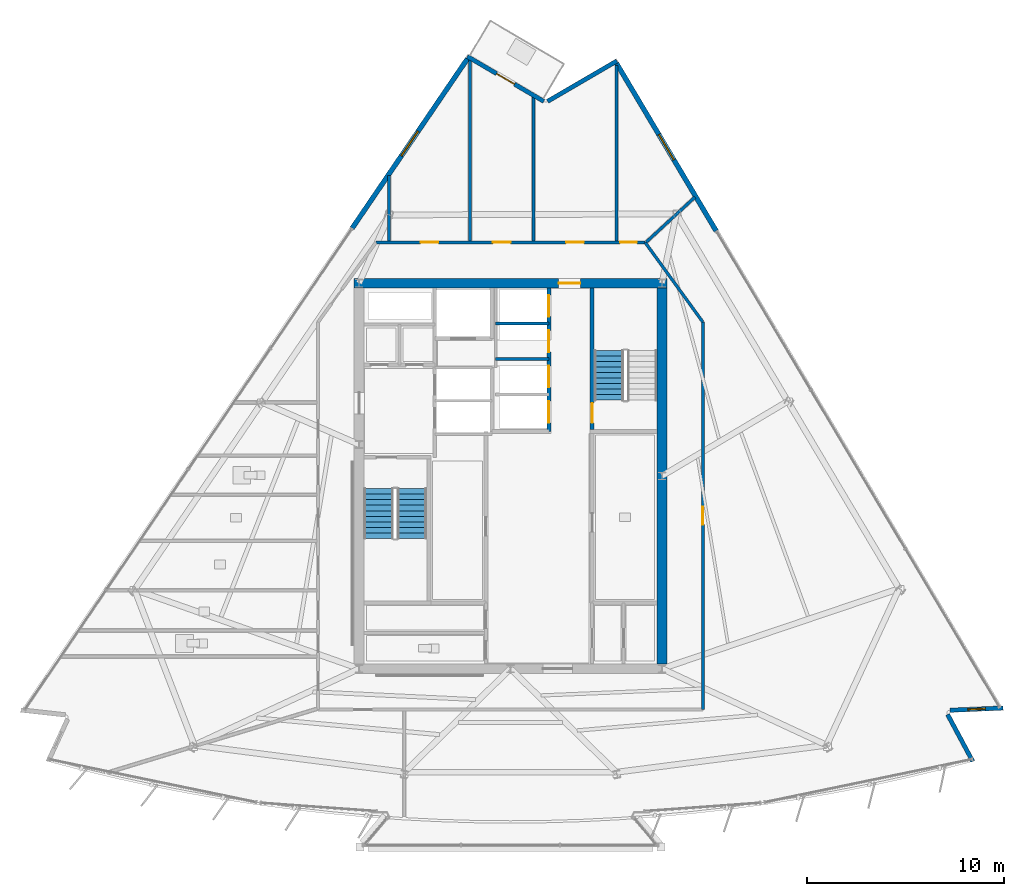
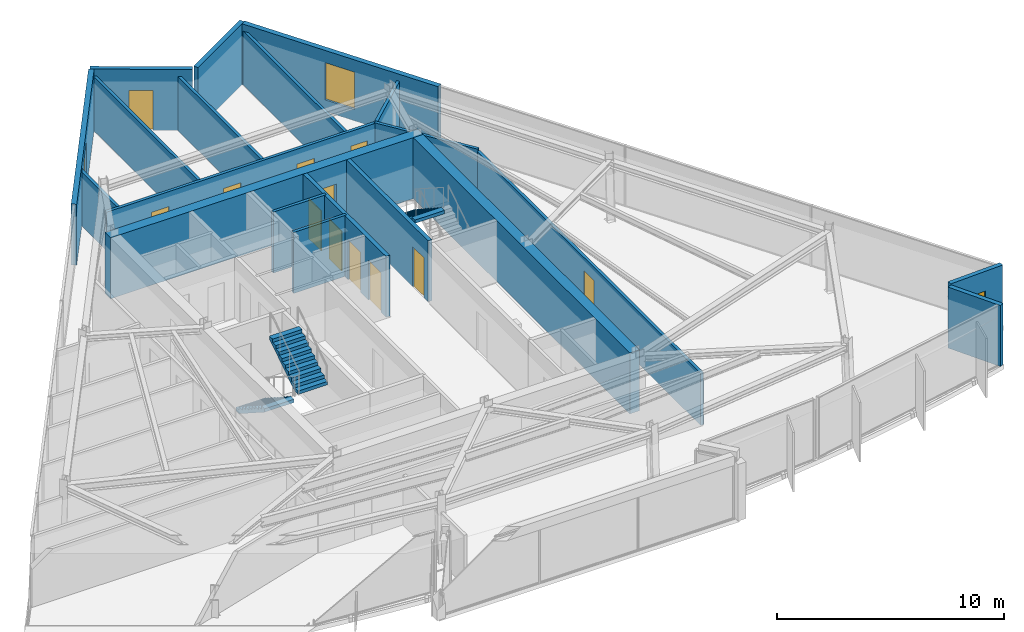
# One storey, part 9 of 14: 20 walls, 12 doors, 3 stair flights, 3 windows, 15 openings, 2 elements without a shape of their own.
"""IFC4 building model written with IfcOpenShell, lengths in metres."""

from ifc_helpers import new_model, si_unit, direction, frame, frame_2d, origin, place, context, subcontext, project, spatial, polyline, rectangle, outline, extrude, material, layer, layer_set, type_object, element, fill, aggregate, save


model = new_model("IFC4")

# Units and contexts
model_context = context("Model", 3, precision=1e-05, world=origin(), true_north=direction((0.0, 1.0)))
body_context = subcontext(model_context, "Body", "Model", "MODEL_VIEW")
ifc_project = project(units=[si_unit("LENGTHUNIT", "METRE"), si_unit("AREAUNIT", "SQUARE_METRE"), si_unit("VOLUMEUNIT", "CUBIC_METRE"), si_unit("PLANEANGLEUNIT", "RADIAN"), si_unit("MASSUNIT", "GRAM", prefix="KILO")], contexts=[model_context])

# Site, building, storey
site_placement = place(None, origin())
site = spatial("IfcSite", under=ifc_project, at=site_placement, CompositionType="ELEMENT")
building_placement = place(site_placement, origin())
building = spatial("IfcBuilding", under=site, at=building_placement, Name="Savorim Split Tower", CompositionType="ELEMENT")
storey_placement = place(building_placement, frame((0.0, 0.0, 237.89990234375)))
storey = spatial("IfcBuildingStorey", under=building, at=storey_placement, Name="L63", CompositionType="ELEMENT", Elevation=237.89990234375)

# Wall, opening, door
ifc_material_1 = material(Name="Concrete C60/75", Category="concrete")
ifc_layer_1 = layer(ifc_material_1, 0.5)
ifc_layer_set_1 = layer_set([ifc_layer_1], Name="WAL-COR-SH500")
wall_type_1 = type_object("IfcWallType", Name="WAL-COR-SH500", PredefinedType="SHEAR", material=ifc_layer_set_1)
wall_1_placement = place(storey_placement, frame((7.949951171875, 10.199951171875, 0.0), z_axis=(0.0, 0.0, 1.0), x_axis=(-1.0, 0.0, 0.0)))
wall_1 = element("IfcWall", 1, at=wall_1_placement, inside=storey, type_object=wall_type_1, Name="L63 Offset Core North Shear Wall", PredefinedType="SHEAR", context=body_context, shape_type="SweptSolid", body=[
    extrude(rectangle(XDim=15.89990234375, YDim=0.5, at=frame_2d((7.949951171875, 0.0))), origin(), (0.0, 0.0, 1.0), 3.280029296875),
])
opening_1_placement = place(wall_1_placement, frame((4.39990234375, 0.0, 0.0)))
opening_1 = element("IfcOpeningElement", 2, at=opening_1_placement, cuts=wall_1, Name="Opening DI-03", PredefinedType="OPENING", context=body_context, shape_type="SweptSolid", body=[
    extrude(rectangle(XDim=1.10009765625, YDim=2.14990234375, at=frame_2d((0.550048828125, 1.074951171875))), frame((0.0, 0.260009765625, 0.0), z_axis=(0.0, -1.0, 0.0), x_axis=(1.0, 0.0, 0.0)), (0.0, 0.0, 1.0), 0.52001953125),
])
ifc_material_2 = material(Name="Timber Fire Door Leaf", Category="wood")
door_type_1 = type_object("IfcDoorType", Name="DOR-FIR-1100", OperationType="NOTDEFINED", PredefinedType="DOOR", material=ifc_material_2)
door_1_placement = place(opening_1_placement, origin())
door_1 = element("IfcDoor", 3, at=door_1_placement, inside=storey, type_object=door_type_1, Name="DOR-L63-COR-NLOB - L63 North Corridor Lobby Fire Door", OperationType="SINGLE_SWING_RIGHT", OverallHeight=2.14990234375, OverallWidth=1.10009765625, PredefinedType="DOOR", context=body_context, shape_type="SweptSolid", body=[
    extrude(rectangle(XDim=1.10009765625, YDim=2.14990234375, at=frame_2d((0.550048828125, 1.074951171875))), frame((0.0, 0.02490234375, 0.0), z_axis=(0.0, -1.0, 0.0), x_axis=(1.0, 0.0, 0.0)), (0.0, 0.0, 1.0), 0.050048828125),
])
fill(opening_1, door_1)

# Walls
wall_2_placement = place(storey_placement, frame((7.699951171875, 9.949951171875, 0.0), z_axis=(0.0, 0.0, 1.0), x_axis=(0.0, -1.0, 0.0)))
element("IfcWall", 4, at=wall_2_placement, inside=storey, type_object=wall_type_1, Name="L63 Offset Core East Shear Wall", PredefinedType="SHEAR", context=body_context, shape_type="SweptSolid", body=[
    extrude(rectangle(XDim=19.099853515625, YDim=0.5, at=frame_2d((9.5498046875, 0.0))), origin(), (0.0, 0.0, 1.0), 3.280029296875),
])
ifc_material_3 = material(Name="Precast concrete C40/50", Category="concrete")
ifc_layer_2 = layer(ifc_material_3, 0.219970703125)
ifc_layer_set_2 = layer_set([ifc_layer_2], Name="WAL-EXT-CRN220")
wall_type_2 = type_object("IfcWallType", Name="WAL-EXT-CRN220", PredefinedType="SOLIDWALL", material=ifc_layer_set_2)
wall_3_placement = place(storey_placement, frame((22.22412109375, -11.72705078125, 0.0), z_axis=(0.0, 0.0, 1.0), x_axis=(0.47278184311, -0.881179509989, 0.0)))
element("IfcWall", 5, at=wall_3_placement, inside=storey, type_object=wall_type_2, Name="L63 Notched Corner Facade Wall SE1", PredefinedType="SOLIDWALL", context=body_context, shape_type="SweptSolid", body=[
    extrude(rectangle(XDim=2.70751953125, YDim=0.219970703125, at=frame_2d((1.353759765625, 0.0))), origin(), (0.0, 0.0, 1.0), 3.280029296875),
])

# Wall, opening, window
wall_4_placement = place(storey_placement, frame((25.048095703125, -11.3984375, 0.0), z_axis=(0.0, 0.0, 1.0), x_axis=(-0.999095922254, -0.042512799655, 0.0)))
wall_4 = element("IfcWall", 6, at=wall_4_placement, inside=storey, type_object=wall_type_2, Name="L63 Notched Corner Facade Wall SE", PredefinedType="SOLIDWALL", context=body_context, shape_type="SweptSolid", body=[
    extrude(rectangle(XDim=2.704833984375, YDim=0.219970703125, at=frame_2d((1.3525390625, 0.0))), origin(), (0.0, 0.0, 1.0), 3.280029296875),
])
opening_2_placement = place(wall_4_placement, frame((0.90234375, 0.0, 0.6201171875)))
opening_2 = element("IfcOpeningElement", 7, at=opening_2_placement, cuts=wall_4, Name="Opening WN-10", PredefinedType="OPENING", context=body_context, shape_type="SweptSolid", body=[
    extrude(rectangle(XDim=0.89990234375, YDim=1.60009765625, at=frame_2d((0.449951171875, 0.800048828125))), frame((0.0, 0.119873046875, 0.0), z_axis=(0.0, -1.0, 0.0), x_axis=(1.0, 0.0, 0.0)), (0.0, 0.0, 1.0), 0.239990234375),
])
ifc_material_4 = material(Name="Low-E Operable Double Glazing", Category="glass")
window_type_1 = type_object("IfcWindowType", Name="WIN-TWR-900x1600", PartitioningType="SINGLE_PANEL", PredefinedType="WINDOW", material=ifc_material_4)
window_1_placement = place(opening_2_placement, origin())
window_1 = element("IfcWindow", 8, at=window_1_placement, inside=storey, type_object=window_type_1, Name="L63 Operable Corner Window SE", OverallHeight=1.60009765625, OverallWidth=0.89990234375, PartitioningType="SINGLE_PANEL", PredefinedType="WINDOW", context=body_context, shape_type="SweptSolid", body=[
    extrude(rectangle(XDim=0.89990234375, YDim=1.60009765625, at=frame_2d((0.449951171875, 0.800048828125))), frame((0.0, 0.030029296875, 0.0), z_axis=(0.0, -1.0, 0.0), x_axis=(1.0, 0.0, 0.0)), (0.0, 0.0, 1.0), 0.06005859375),
])
fill(opening_2, window_1)

# Wall
wall_5_placement = place(storey_placement, frame((1.8837890625, 19.445068359375, 0.0), z_axis=(0.0, 0.0, 1.0), x_axis=(0.863969645804, 0.50354389196, 0.0)))
element("IfcWall", 9, at=wall_5_placement, inside=storey, type_object=wall_type_2, Name="L63 Notched Corner Facade Wall NE1", PredefinedType="SOLIDWALL", context=body_context, shape_type="SweptSolid", body=[
    extrude(rectangle(XDim=4.083740234375, YDim=0.219970703125, at=frame_2d((2.0419921875, 0.0))), origin(), (0.0, 0.0, 1.0), 3.280029296875),
])

# Wall, opening, door
wall_6_placement = place(storey_placement, frame((-2.196533203125, 21.731689453125, 0.0), z_axis=(0.0, 0.0, 1.0), x_axis=(0.862121926844, -0.506700881442, 0.0)))
wall_6 = element("IfcWall", 10, at=wall_6_placement, inside=storey, type_object=wall_type_2, Name="L63 Notched Corner Facade Wall N", PredefinedType="SOLIDWALL", context=body_context, shape_type="SweptSolid", body=[
    extrude(rectangle(XDim=4.51220703125, YDim=0.219970703125, at=frame_2d((2.256103515625, 0.0))), origin(), (0.0, 0.0, 1.0), 3.280029296875),
])
opening_3_placement = place(wall_6_placement, frame((1.731201171875, 0.0, 0.0)))
opening_3 = element("IfcOpeningElement", 11, at=opening_3_placement, cuts=wall_6, Name="Opening DB-01", PredefinedType="OPENING", context=body_context, shape_type="SweptSolid", body=[
    extrude(rectangle(XDim=1.050048828125, YDim=2.14990234375, at=frame_2d((0.52490234375, 1.074951171875))), frame((0.0, 0.119873046875, 0.0), z_axis=(0.0, -1.0, 0.0), x_axis=(1.0, 0.0, 0.0)), (0.0, 0.0, 1.0), 0.239990234375),
])
ifc_material_5 = material(Name="Charcoal Anodised Aluminium", Category="aluminium")
door_type_2 = type_object("IfcDoorType", Name="DOR-BAL-1050", OperationType="NOTDEFINED", PredefinedType="DOOR", material=ifc_material_5)
door_2_placement = place(opening_3_placement, origin())
door_2 = element("IfcDoor", 12, at=door_2_placement, inside=storey, type_object=door_type_2, Name="DOR-L63-TBAL-N - L63 Planted Tree Balcony Door N", OperationType="SINGLE_SWING_RIGHT", OverallHeight=2.14990234375, OverallWidth=1.050048828125, PredefinedType="DOOR", context=body_context, shape_type="SweptSolid", body=[
    extrude(rectangle(XDim=1.050048828125, YDim=2.14990234375, at=frame_2d((0.52490234375, 1.074951171875))), frame((0.0, 0.02490234375, 0.0), z_axis=(0.0, -1.0, 0.0), x_axis=(1.0, 0.0, 0.0)), (0.0, 0.0, 1.0), 0.050048828125),
])
fill(opening_3, door_2)

# Wall, opening, window
ifc_layer_3 = layer(ifc_material_3, 0.25)
ifc_layer_set_3 = layer_set([ifc_layer_3], Name="WAL-EXT-SPN250")
wall_type_3 = type_object("IfcWallType", Name="WAL-EXT-SPN250", PredefinedType="SOLIDWALL", material=ifc_layer_set_3)
wall_7_placement = place(storey_placement, frame((5.3955078125, 21.374755859375, 0.0), z_axis=(0.0, 0.0, 1.0), x_axis=(0.511082771111, -0.85953150092, 0.0)))
wall_7 = element("IfcWall", 13, at=wall_7_placement, inside=storey, type_object=wall_type_3, Name="L63 East Operable Window Pier", PredefinedType="SOLIDWALL", context=body_context, shape_type="SweptSolid", body=[
    extrude(rectangle(XDim=9.91064453125, YDim=0.25, at=frame_2d((4.955322265625, 0.0))), origin(), (0.0, 0.0, 1.0), 3.280029296875),
])
opening_4_placement = place(wall_7_placement, frame((4.205322265625, 0.0, 0.6201171875)))
opening_4 = element("IfcOpeningElement", 14, at=opening_4_placement, cuts=wall_7, Name="Opening WN-06", PredefinedType="OPENING", context=body_context, shape_type="SweptSolid", body=[
    extrude(rectangle(XDim=1.5, YDim=2.0, at=frame_2d((0.75, 1.0))), frame((0.0, 0.135009765625, 0.0), z_axis=(0.0, -1.0, 0.0), x_axis=(1.0, 0.0, 0.0)), (0.0, 0.0, 1.0), 0.27001953125),
])
window_type_2 = type_object("IfcWindowType", Name="WIN-TWR-1500x2000", PartitioningType="SINGLE_PANEL", PredefinedType="WINDOW", material=ifc_material_4)
window_2_placement = place(opening_4_placement, origin())
window_2 = element("IfcWindow", 15, at=window_2_placement, inside=storey, type_object=window_type_2, Name="L63 East Operable Ventilation Window", OverallHeight=2.0, OverallWidth=1.5, PartitioningType="SINGLE_PANEL", PredefinedType="WINDOW", context=body_context, shape_type="SweptSolid", body=[
    extrude(rectangle(XDim=1.5, YDim=2.0, at=frame_2d((0.75, 1.0))), frame((0.0, 0.030029296875, 0.0), z_axis=(0.0, -1.0, 0.0), x_axis=(1.0, 0.0, 0.0)), (0.0, 0.0, 1.0), 0.06005859375),
])
fill(opening_4, window_2)

wall_8_placement = place(storey_placement, frame((-8.05029296875, 12.998291015625, 0.0), z_axis=(0.0, 0.0, 1.0), x_axis=(0.562447281182, 0.826833148762, 0.0)))
wall_8 = element("IfcWall", 16, at=wall_8_placement, inside=storey, type_object=wall_type_3, Name="L63 West Operable Window Pier", PredefinedType="SOLIDWALL", context=body_context, shape_type="SweptSolid", body=[
    extrude(rectangle(XDim=10.41064453125, YDim=0.25, at=frame_2d((5.205322265625, 0.0))), origin(), (0.0, 0.0, 1.0), 3.280029296875),
])
opening_5_placement = place(wall_8_placement, frame((4.455322265625, 0.0, 0.6201171875)))
opening_5 = element("IfcOpeningElement", 17, at=opening_5_placement, cuts=wall_8, Name="Opening WN-06", PredefinedType="OPENING", context=body_context, shape_type="SweptSolid", body=[
    extrude(rectangle(XDim=1.5, YDim=2.0, at=frame_2d((0.75, 1.0))), frame((0.0, 0.135009765625, 0.0), z_axis=(0.0, -1.0, 0.0), x_axis=(1.0, 0.0, 0.0)), (0.0, 0.0, 1.0), 0.27001953125),
])
window_3_placement = place(opening_5_placement, origin())
window_3 = element("IfcWindow", 18, at=window_3_placement, inside=storey, type_object=window_type_2, Name="L63 West Operable Ventilation Window", OverallHeight=2.0, OverallWidth=1.5, PartitioningType="SINGLE_PANEL", PredefinedType="WINDOW", context=body_context, shape_type="SweptSolid", body=[
    extrude(rectangle(XDim=1.5, YDim=2.0, at=frame_2d((0.75, 1.0))), frame((0.0, 0.030029296875, 0.0), z_axis=(0.0, -1.0, 0.0), x_axis=(1.0, 0.0, 0.0)), (0.0, 0.0, 1.0), 0.06005859375),
])
fill(opening_5, window_3)

# Wall, opening, door
ifc_material_6 = material(Name="Concrete C50/60", Category="concrete")
ifc_layer_4 = layer(ifc_material_6, 0.199951171875)
ifc_layer_set_4 = layer_set([ifc_layer_4], Name="WAL-INT-RC200")
wall_type_4 = type_object("IfcWallType", Name="WAL-INT-RC200", PredefinedType="SOLIDWALL", material=ifc_layer_set_4)
wall_9_placement = place(storey_placement, frame((4.14990234375, 2.75, 0.0), z_axis=(0.0, 0.0, 1.0), x_axis=(0.0, 1.0, 0.0)))
wall_9 = element("IfcWall", 19, at=wall_9_placement, inside=storey, type_object=wall_type_4, Name="L63 Structural Shaft Wall W-L63-CR07", PredefinedType="SOLIDWALL", context=body_context, shape_type="SweptSolid", body=[
    extrude(rectangle(XDim=7.199951171875, YDim=0.199951171875, at=frame_2d((3.60009765625, 0.0))), origin(), (0.0, 0.0, 1.0), 3.280029296875),
])
opening_6_placement = place(wall_9_placement, frame((0.35009765625, 0.0, 0.0)))
opening_6 = element("IfcOpeningElement", 20, at=opening_6_placement, cuts=wall_9, Name="Opening DI-04", PredefinedType="OPENING", context=body_context, shape_type="SweptSolid", body=[
    extrude(rectangle(XDim=1.0, YDim=2.14990234375, at=frame_2d((0.5, 1.074951171875))), frame((0.0, 0.10986328125, 0.0), z_axis=(0.0, -1.0, 0.0), x_axis=(1.0, 0.0, 0.0)), (0.0, 0.0, 1.0), 0.219970703125),
])
door_type_3 = type_object("IfcDoorType", Name="DOR-FIR-1000", OperationType="NOTDEFINED", PredefinedType="DOOR", material=ifc_material_2)
door_3_placement = place(opening_6_placement, origin())
door_3 = element("IfcDoor", 21, at=door_3_placement, inside=storey, type_object=door_type_3, Name="DR-L63-ST2 - L63 Stair ST-2 Enclosure Door", OperationType="SINGLE_SWING_RIGHT", OverallHeight=2.14990234375, OverallWidth=1.0, PredefinedType="DOOR", context=body_context, shape_type="SweptSolid", body=[
    extrude(rectangle(XDim=1.0, YDim=2.14990234375, at=frame_2d((0.5, 1.074951171875))), frame((0.0, 0.02490234375, 0.0), z_axis=(0.0, -1.0, 0.0), x_axis=(1.0, 0.0, 0.0)), (0.0, 0.0, 1.0), 0.050048828125),
])
fill(opening_6, door_3)

# Wall, openings, doors
wall_10_placement = place(storey_placement, frame((1.949951171875, 2.64990234375, 0.0), z_axis=(0.0, 0.0, 1.0), x_axis=(0.0, 1.0, 0.0)))
wall_10 = element("IfcWall", 22, at=wall_10_placement, inside=storey, type_object=wall_type_4, Name="L63 Partition W-L63-B3FRONT", PredefinedType="SOLIDWALL", context=body_context, shape_type="SweptSolid", body=[
    extrude(rectangle(XDim=7.295166015625, YDim=0.199951171875, at=frame_2d((3.6474609375, 0.0))), origin(), (0.0, 0.0, 1.0), 3.280029296875),
])
opening_7_placement = place(wall_10_placement, frame((0.449951171875, 0.0, 0.0)))
opening_7 = element("IfcOpeningElement", 23, at=opening_7_placement, cuts=wall_10, Name="Opening LD-03", PredefinedType="OPENING", context=body_context, shape_type="SweptSolid", body=[
    extrude(rectangle(XDim=1.10009765625, YDim=2.14990234375, at=frame_2d((0.550048828125, 1.074951171875))), frame((0.0, 0.10986328125, 0.0), z_axis=(0.0, -1.0, 0.0), x_axis=(1.0, 0.0, 0.0)), (0.0, 0.0, 1.0), 0.219970703125),
])
opening_8_placement = place(wall_10_placement, frame((2.25, 0.0, 0.0)))
opening_8 = element("IfcOpeningElement", 24, at=opening_8_placement, cuts=wall_10, Name="Opening LD-03", PredefinedType="OPENING", context=body_context, shape_type="SweptSolid", body=[
    extrude(rectangle(XDim=1.10009765625, YDim=2.14990234375, at=frame_2d((0.550048828125, 1.074951171875))), frame((0.0, 0.10986328125, 0.0), z_axis=(0.0, -1.0, 0.0), x_axis=(1.0, 0.0, 0.0)), (0.0, 0.0, 1.0), 0.219970703125),
])
opening_9_placement = place(wall_10_placement, frame((4.050048828125, 0.0, 0.0)))
opening_9 = element("IfcOpeningElement", 25, at=opening_9_placement, cuts=wall_10, Name="Opening LD-03", PredefinedType="OPENING", context=body_context, shape_type="SweptSolid", body=[
    extrude(rectangle(XDim=1.10009765625, YDim=2.14990234375, at=frame_2d((0.550048828125, 1.074951171875))), frame((0.0, 0.10986328125, 0.0), z_axis=(0.0, -1.0, 0.0), x_axis=(1.0, 0.0, 0.0)), (0.0, 0.0, 1.0), 0.219970703125),
])
opening_10_placement = place(wall_10_placement, frame((5.85009765625, 0.0, 0.0)))
opening_10 = element("IfcOpeningElement", 26, at=opening_10_placement, cuts=wall_10, Name="Opening LD-03", PredefinedType="OPENING", context=body_context, shape_type="SweptSolid", body=[
    extrude(rectangle(XDim=1.10009765625, YDim=2.14990234375, at=frame_2d((0.550048828125, 1.074951171875))), frame((0.0, 0.10986328125, 0.0), z_axis=(0.0, -1.0, 0.0), x_axis=(1.0, 0.0, 0.0)), (0.0, 0.0, 1.0), 0.219970703125),
])
door_type_4 = type_object("IfcDoorType", Name="DOR-SLD-LDH1100", OperationType="NOTDEFINED", PredefinedType="DOOR", material=ifc_material_5)
door_4_placement = place(opening_7_placement, origin())
door_4 = element("IfcDoor", 27, at=door_4_placement, inside=storey, type_object=door_type_4, Name="DR-L63-LD-PLH1 - L63 Lift PL-H1 Sliding Landing Door", OperationType="DOUBLE_DOOR_SLIDING", OverallHeight=2.14990234375, OverallWidth=1.10009765625, PredefinedType="DOOR", context=body_context, shape_type="SweptSolid", body=[
    extrude(rectangle(XDim=1.10009765625, YDim=2.14990234375, at=frame_2d((0.550048828125, 1.074951171875))), frame((0.0, 0.02490234375, 0.0), z_axis=(0.0, -1.0, 0.0), x_axis=(1.0, 0.0, 0.0)), (0.0, 0.0, 1.0), 0.050048828125),
])
fill(opening_7, door_4)
door_5_placement = place(opening_8_placement, origin())
door_5 = element("IfcDoor", 28, at=door_5_placement, inside=storey, type_object=door_type_4, Name="DR-L63-LD-PLH2 - L63 Lift PL-H2 Sliding Landing Door", OperationType="DOUBLE_DOOR_SLIDING", OverallHeight=2.14990234375, OverallWidth=1.10009765625, PredefinedType="DOOR", context=body_context, shape_type="SweptSolid", body=[
    extrude(rectangle(XDim=1.10009765625, YDim=2.14990234375, at=frame_2d((0.550048828125, 1.074951171875))), frame((0.0, 0.02490234375, 0.0), z_axis=(0.0, -1.0, 0.0), x_axis=(1.0, 0.0, 0.0)), (0.0, 0.0, 1.0), 0.050048828125),
])
fill(opening_8, door_5)
door_6_placement = place(opening_9_placement, origin())
door_6 = element("IfcDoor", 29, at=door_6_placement, inside=storey, type_object=door_type_4, Name="DR-L63-LD-PLH3 - L63 Lift PL-H3 Sliding Landing Door", OperationType="DOUBLE_DOOR_SLIDING", OverallHeight=2.14990234375, OverallWidth=1.10009765625, PredefinedType="DOOR", context=body_context, shape_type="SweptSolid", body=[
    extrude(rectangle(XDim=1.10009765625, YDim=2.14990234375, at=frame_2d((0.550048828125, 1.074951171875))), frame((0.0, 0.02490234375, 0.0), z_axis=(0.0, -1.0, 0.0), x_axis=(1.0, 0.0, 0.0)), (0.0, 0.0, 1.0), 0.050048828125),
])
fill(opening_9, door_6)
door_7_placement = place(opening_10_placement, origin())
door_7 = element("IfcDoor", 30, at=door_7_placement, inside=storey, type_object=door_type_4, Name="DR-L63-LD-PLH4 - L63 Lift PL-H4 Sliding Landing Door", OperationType="DOUBLE_DOOR_SLIDING", OverallHeight=2.14990234375, OverallWidth=1.10009765625, PredefinedType="DOOR", context=body_context, shape_type="SweptSolid", body=[
    extrude(rectangle(XDim=1.10009765625, YDim=2.14990234375, at=frame_2d((0.550048828125, 1.074951171875))), frame((0.0, 0.02490234375, 0.0), z_axis=(0.0, -1.0, 0.0), x_axis=(1.0, 0.0, 0.0)), (0.0, 0.0, 1.0), 0.050048828125),
])
fill(opening_10, door_7)

# Walls
ifc_material_7 = material(Name="Acoustic Gypsum Partition Board")
ifc_layer_5 = layer(ifc_material_7, 0.14990234375)
ifc_layer_set_5 = layer_set([ifc_layer_5], Name="WAL-PAR-150")
wall_type_5 = type_object("IfcWallType", Name="WAL-PAR-150", PredefinedType="PARTITIONING", material=ifc_layer_set_5)
for number, where, z_axis, x_axis, name in (
    (31, (-0.75, 6.35009765625, 0.0), (0.0, 0.0, 1.0), (1.0, 0.0, 0.0), "L63 Partition W-L63-B3DIV2"),
    (32, (-0.75, 8.14990234375, 0.0), (0.0, 0.0, 1.0), (1.0, 0.0, 0.0), "L63 Partition W-L63-B3DIV3"),
):
    element("IfcWall", number, at=place(storey_placement, frame(where, z_axis=z_axis, x_axis=x_axis)), inside=storey, type_object=wall_type_5, Name=name, PredefinedType="PARTITIONING", context=body_context, shape_type="SweptSolid", body=[
        extrude(rectangle(XDim=2.699951171875, YDim=0.14990234375, at=frame_2d((1.35009765625, 0.0))), origin(), (0.0, 0.0, 1.0), 3.280029296875),
    ])

# Wall, openings, doors
wall_11_placement = place(storey_placement, frame((-6.8408203125, 12.280029296875, 0.0), z_axis=(0.0, 0.0, 1.0), x_axis=(1.0, 0.0, 0.0)))
wall_11 = element("IfcWall", 33, at=wall_11_placement, inside=storey, type_object=wall_type_5, Name="L63 Partition W-L63-COR-03", PredefinedType="PARTITIONING", context=body_context, shape_type="SweptSolid", body=[
    extrude(rectangle(XDim=13.681640625, YDim=0.14990234375, at=frame_2d((6.8408203125, 0.0))), origin(), (0.0, 0.0, 1.0), 2.905029296875),
])
opening_11_placement = place(wall_11_placement, frame((12.4208984375, 0.0, 0.0)))
opening_11 = element("IfcOpeningElement", 34, at=opening_11_placement, cuts=wall_11, Name="Opening DI-13", PredefinedType="OPENING", context=body_context, shape_type="SweptSolid", body=[
    extrude(rectangle(XDim=0.85009765625, YDim=2.10009765625, at=frame_2d((0.425048828125, 1.050048828125))), frame((0.0, 0.0849609375, 0.0), z_axis=(0.0, -1.0, 0.0), x_axis=(1.0, 0.0, 0.0)), (0.0, 0.0, 1.0), 0.169921875),
])
opening_12_placement = place(wall_11_placement, frame((9.672119140625, 0.0, 0.0)))
opening_12 = element("IfcOpeningElement", 35, at=opening_12_placement, cuts=wall_11, Name="Opening DI-06", PredefinedType="OPENING", context=body_context, shape_type="SweptSolid", body=[
    extrude(rectangle(XDim=0.89990234375, YDim=2.10009765625, at=frame_2d((0.449951171875, 1.050048828125))), frame((0.0, 0.0849609375, 0.0), z_axis=(0.0, -1.0, 0.0), x_axis=(1.0, 0.0, 0.0)), (0.0, 0.0, 1.0), 0.169921875),
])
opening_13_placement = place(wall_11_placement, frame((5.9453125, 0.0, 0.0)))
opening_13 = element("IfcOpeningElement", 36, at=opening_13_placement, cuts=wall_11, Name="Opening DI-06", PredefinedType="OPENING", context=body_context, shape_type="SweptSolid", body=[
    extrude(rectangle(XDim=0.89990234375, YDim=2.10009765625, at=frame_2d((0.449951171875, 1.050048828125))), frame((0.0, 0.0849609375, 0.0), z_axis=(0.0, -1.0, 0.0), x_axis=(1.0, 0.0, 0.0)), (0.0, 0.0, 1.0), 0.169921875),
])
opening_14_placement = place(wall_11_placement, frame((2.27783203125, 0.0, 0.0)))
opening_14 = element("IfcOpeningElement", 37, at=opening_14_placement, cuts=wall_11, Name="Opening DI-06", PredefinedType="OPENING", context=body_context, shape_type="SweptSolid", body=[
    extrude(rectangle(XDim=0.89990234375, YDim=2.10009765625, at=frame_2d((0.449951171875, 1.050048828125))), frame((0.0, 0.0849609375, 0.0), z_axis=(0.0, -1.0, 0.0), x_axis=(1.0, 0.0, 0.0)), (0.0, 0.0, 1.0), 0.169921875),
])
door_type_5 = type_object("IfcDoorType", Name="DOR-FIR-850", OperationType="NOTDEFINED", PredefinedType="DOOR", material=ifc_material_2)
door_8_placement = place(opening_11_placement, origin())
door_8 = element("IfcDoor", 38, at=door_8_placement, inside=storey, type_object=door_type_5, Name="DR-L63-RM08 - L63 Quiet Study Room Entry Door", OperationType="SINGLE_SWING_LEFT", OverallHeight=2.10009765625, OverallWidth=0.85009765625, PredefinedType="DOOR", context=body_context, shape_type="SweptSolid", body=[
    extrude(rectangle(XDim=0.85009765625, YDim=2.10009765625, at=frame_2d((0.425048828125, 1.050048828125))), frame((0.0, 0.02490234375, 0.0), z_axis=(0.0, -1.0, 0.0), x_axis=(1.0, 0.0, 0.0)), (0.0, 0.0, 1.0), 0.050048828125),
])
fill(opening_11, door_8)
door_type_6 = type_object("IfcDoorType", Name="DOR-FIR-900", OperationType="NOTDEFINED", PredefinedType="DOOR", material=ifc_material_2)
door_9_placement = place(opening_12_placement, origin())
door_9 = element("IfcDoor", 39, at=door_9_placement, inside=storey, type_object=door_type_6, Name="DR-L63-RM09 - L63 Quiet Study Room Entry Door", OperationType="SINGLE_SWING_RIGHT", OverallHeight=2.10009765625, OverallWidth=0.89990234375, PredefinedType="DOOR", context=body_context, shape_type="SweptSolid", body=[
    extrude(rectangle(XDim=0.89990234375, YDim=2.10009765625, at=frame_2d((0.449951171875, 1.050048828125))), frame((0.0, 0.02490234375, 0.0), z_axis=(0.0, -1.0, 0.0), x_axis=(1.0, 0.0, 0.0)), (0.0, 0.0, 1.0), 0.050048828125),
])
fill(opening_12, door_9)
door_10_placement = place(opening_13_placement, origin())
door_10 = element("IfcDoor", 40, at=door_10_placement, inside=storey, type_object=door_type_6, Name="DR-L63-RM10 - L63 Quiet Study Room Entry Door", OperationType="SINGLE_SWING_LEFT", OverallHeight=2.10009765625, OverallWidth=0.89990234375, PredefinedType="DOOR", context=body_context, shape_type="SweptSolid", body=[
    extrude(rectangle(XDim=0.89990234375, YDim=2.10009765625, at=frame_2d((0.449951171875, 1.050048828125))), frame((0.0, 0.02490234375, 0.0), z_axis=(0.0, -1.0, 0.0), x_axis=(1.0, 0.0, 0.0)), (0.0, 0.0, 1.0), 0.050048828125),
])
fill(opening_13, door_10)
door_11_placement = place(opening_14_placement, origin())
door_11 = element("IfcDoor", 41, at=door_11_placement, inside=storey, type_object=door_type_6, Name="DR-L63-RM11 - L63 Quiet Study Room Entry Door", OperationType="SINGLE_SWING_RIGHT", OverallHeight=2.10009765625, OverallWidth=0.89990234375, PredefinedType="DOOR", context=body_context, shape_type="SweptSolid", body=[
    extrude(rectangle(XDim=0.89990234375, YDim=2.10009765625, at=frame_2d((0.449951171875, 1.050048828125))), frame((0.0, 0.02490234375, 0.0), z_axis=(0.0, -1.0, 0.0), x_axis=(1.0, 0.0, 0.0)), (0.0, 0.0, 1.0), 0.050048828125),
])
fill(opening_14, door_11)

# Wall
wall_12_placement = place(storey_placement, frame((6.8408203125, 12.280029296875, 0.0), z_axis=(0.0, 0.0, 1.0), x_axis=(0.586956386413, -0.809618552436, 0.0)))
element("IfcWall", 42, at=wall_12_placement, inside=storey, type_object=wall_type_5, Name="L63 Partition W-L63-COR-04", PredefinedType="PARTITIONING", context=body_context, shape_type="SweptSolid", body=[
    extrude(rectangle(XDim=5.007568359375, YDim=0.14990234375, at=frame_2d((2.50390625, 0.0))), origin(), (0.0, 0.0, 1.0), 2.93505859375),
])

# Wall, opening, door
wall_13_placement = place(storey_placement, frame((9.780029296875, 8.225830078125, 0.0), z_axis=(0.0, 0.0, 1.0), x_axis=(0.0, -1.0, 0.0)))
wall_13 = element("IfcWall", 43, at=wall_13_placement, inside=storey, type_object=wall_type_5, Name="L63 Partition W-L63-COR-05", PredefinedType="PARTITIONING", context=body_context, shape_type="SweptSolid", body=[
    extrude(rectangle(XDim=19.705810546875, YDim=0.14990234375, at=frame_2d((9.85302734375, 0.0))), origin(), (0.0, 0.0, 1.0), 2.80517578125),
])
opening_15_placement = place(wall_13_placement, frame((9.403076171875, 0.0, 0.0)))
opening_15 = element("IfcOpeningElement", 44, at=opening_15_placement, cuts=wall_13, Name="Opening DI-06", PredefinedType="OPENING", context=body_context, shape_type="SweptSolid", body=[
    extrude(rectangle(XDim=0.89990234375, YDim=2.10009765625, at=frame_2d((0.449951171875, 1.050048828125))), frame((0.0, 0.0849609375, 0.0), z_axis=(0.0, -1.0, 0.0), x_axis=(1.0, 0.0, 0.0)), (0.0, 0.0, 1.0), 0.169921875),
])
door_12_placement = place(opening_15_placement, origin())
door_12 = element("IfcDoor", 45, at=door_12_placement, inside=storey, type_object=door_type_6, Name="DR-L63-RM07 - L63 Maker Workshop Entry Door", OperationType="SINGLE_SWING_RIGHT", OverallHeight=2.10009765625, OverallWidth=0.89990234375, PredefinedType="DOOR", context=body_context, shape_type="SweptSolid", body=[
    extrude(rectangle(XDim=0.89990234375, YDim=2.10009765625, at=frame_2d((0.449951171875, 1.050048828125))), frame((0.0, 0.02490234375, 0.0), z_axis=(0.0, -1.0, 0.0), x_axis=(1.0, 0.0, 0.0)), (0.0, 0.0, 1.0), 0.050048828125),
])
fill(opening_15, door_12)

# Walls
wall_14_placement = place(storey_placement, frame((6.905029296875, 12.29248046875, 0.0), z_axis=(0.0, 0.0, 1.0), x_axis=(0.734884041153, 0.678192779421, 0.0)))
element("IfcWall", 46, at=wall_14_placement, inside=storey, type_object=wall_type_5, Name="L63 Partition W-L63-PRAD07", PredefinedType="PARTITIONING", context=body_context, shape_type="SweptSolid", body=[
    extrude(rectangle(XDim=3.36767578125, YDim=0.14990234375, at=frame_2d((1.683837890625, 0.0))), origin(), (0.0, 0.0, 1.0), 2.905029296875),
])
wall_15_placement = place(storey_placement, frame((-6.170166015625, 12.340087890625, 0.0), z_axis=(0.0, 0.0, 1.0), x_axis=(0.0, 1.0, 0.0)))
element("IfcWall", 47, at=wall_15_placement, inside=storey, type_object=wall_type_5, Name="L63 Partition W-L63-PRAD08", PredefinedType="PARTITIONING", context=body_context, shape_type="SweptSolid", body=[
    extrude(rectangle(XDim=3.333251953125, YDim=0.14990234375, at=frame_2d((1.66650390625, 0.0))), origin(), (0.0, 0.0, 1.0), 2.905029296875),
])
wall_16_placement = place(storey_placement, frame((1.16455078125, 12.340087890625, 0.0), z_axis=(0.0, 0.0, 1.0), x_axis=(0.0, 1.0, 0.0)))
element("IfcWall", 48, at=wall_16_placement, inside=storey, type_object=wall_type_5, Name="L63 Partition W-L63-SUB03", PredefinedType="PARTITIONING", context=body_context, shape_type="SweptSolid", body=[
    extrude(rectangle(XDim=7.358154296875, YDim=0.14990234375, at=frame_2d((3.67919921875, 0.0))), origin(), (0.0, 0.0, 1.0), 2.905029296875),
])
wall_17_placement = place(storey_placement, frame((5.397705078125, 12.340087890625, 0.0), z_axis=(0.0, 0.0, 1.0), x_axis=(0.0, 1.0, 0.0)))
element("IfcWall", 49, at=wall_17_placement, inside=storey, type_object=wall_type_5, Name="L63 Partition W-L63-SUB06", PredefinedType="PARTITIONING", context=body_context, shape_type="SweptSolid", body=[
    extrude(rectangle(XDim=8.932861328125, YDim=0.14990234375, at=frame_2d((4.46630859375, 0.0))), origin(), (0.0, 0.0, 1.0), 2.905029296875),
])
wall_18_placement = place(storey_placement, frame((-2.0556640625, 12.340087890625, 0.0), z_axis=(0.0, 0.0, 1.0), x_axis=(0.0, 1.0, 0.0)))
element("IfcWall", 50, at=wall_18_placement, inside=storey, type_object=wall_type_5, Name="L63 Partition W-L63-SUB07", PredefinedType="PARTITIONING", context=body_context, shape_type="SweptSolid", body=[
    extrude(rectangle(XDim=9.250732421875, YDim=0.14990234375, at=frame_2d((4.62548828125, 0.0))), origin(), (0.0, 0.0, 1.0), 2.905029296875),
])

# Stair, stair flights
stair_type = type_object("IfcStairType", Name="STR-DOG-3600", PredefinedType="HALF_TURN_STAIR", material=ifc_material_6)
stair_1_placement = place(storey_placement, origin())
stair_1 = element("IfcStair", 51, at=stair_1_placement, inside=storey, type_object=stair_type, Name="L63 Core Protected Exit Stair ST-1", PredefinedType="HALF_TURN_STAIR")
stair_flight_type = type_object("IfcStairFlightType", Name="SFL-DOG-3600", PredefinedType="STRAIGHT", material=ifc_material_6)
stair_flight_1_placement = place(storey_placement, frame((-6.699951171875, -0.25, 0.0), z_axis=(0.0, 0.0, 1.0), x_axis=(0.0, -1.0, 0.0)))
stair_flight_1 = element("IfcStairFlight", 52, at=stair_flight_1_placement, type_object=stair_flight_type, Name="ST-1 flight 1", NumberOfRisers=10, NumberOfTreads=9, PredefinedType="STRAIGHT", RiserHeight=0.18, TreadLength=0.28, context=body_context, shape_type="SweptSolid", body=[
    extrude(outline(polyline([(0.0, 0.0), (0.0, 0.179931640625), (0.280029296875, 0.179931640625), (0.280029296875, 0.360107421875), (0.56005859375, 0.360107421875), (0.56005859375, 0.5400390625), (0.840087890625, 0.5400390625), (0.840087890625, 0.719970703125), (1.1201171875, 0.719970703125), (1.1201171875, 0.89990234375), (1.39990234375, 0.89990234375), (1.39990234375, 1.080078125), (1.679931640625, 1.080078125), (1.679931640625, 1.260009765625), (1.9599609375, 1.260009765625), (1.9599609375, 1.43994140625), (2.239990234375, 1.43994140625), (2.239990234375, 1.6201171875), (2.52001953125, 1.6201171875), (2.52001953125, 1.800048828125), (2.52001953125, 1.44189453125), (0.277099609375, 0.0), (0.0, 0.0)])), frame((0.0, 0.75, 0.0), z_axis=(0.0, -1.0, 0.0), x_axis=(1.0, 0.0, 0.0)), (0.0, 0.0, 1.0), 1.5),
])
stair_flight_2_placement = place(storey_placement, frame((-5.0, -2.77001953125, 1.800048828125), z_axis=(0.0, 0.0, 1.0), x_axis=(0.0, 1.0, 0.0)))
stair_flight_2 = element("IfcStairFlight", 53, at=stair_flight_2_placement, type_object=stair_flight_type, Name="ST-1 flight 2", NumberOfRisers=10, NumberOfTreads=9, PredefinedType="STRAIGHT", RiserHeight=0.18, TreadLength=0.28, context=body_context, shape_type="SweptSolid", body=[
    extrude(outline(polyline([(0.0, 0.0), (0.0, 0.179931640625), (0.280029296875, 0.179931640625), (0.280029296875, 0.360107421875), (0.56005859375, 0.360107421875), (0.56005859375, 0.5400390625), (0.840087890625, 0.5400390625), (0.840087890625, 0.719970703125), (1.1201171875, 0.719970703125), (1.1201171875, 0.89990234375), (1.39990234375, 0.89990234375), (1.39990234375, 1.080078125), (1.679931640625, 1.080078125), (1.679931640625, 1.260009765625), (1.9599609375, 1.260009765625), (1.9599609375, 1.43994140625), (2.239990234375, 1.43994140625), (2.239990234375, 1.6201171875), (2.52001953125, 1.6201171875), (2.52001953125, 1.800048828125), (2.52001953125, 1.44189453125), (0.277099609375, 0.0), (0.0, 0.0)])), frame((0.0, 0.75, 0.0), z_axis=(0.0, -1.0, 0.0), x_axis=(1.0, 0.0, 0.0)), (0.0, 0.0, 1.0), 1.5),
])
aggregate(stair_1, [stair_flight_1, stair_flight_2])

# Stair, stair flight
stair_2_placement = place(storey_placement, origin())
stair_2 = element("IfcStair", 54, at=stair_2_placement, inside=storey, type_object=stair_type, Name="L63 Core Protected Exit Stair ST-2", PredefinedType="HALF_TURN_STAIR")
stair_flight_3_placement = place(storey_placement, frame((5.0, 6.77001953125, 1.800048828125), z_axis=(0.0, 0.0, 1.0), x_axis=(0.0, -1.0, 0.0)))
stair_flight_3 = element("IfcStairFlight", 55, at=stair_flight_3_placement, type_object=stair_flight_type, Name="ST-2 flight 2", NumberOfRisers=10, NumberOfTreads=9, PredefinedType="STRAIGHT", RiserHeight=0.18, TreadLength=0.28, context=body_context, shape_type="SweptSolid", body=[
    extrude(outline(polyline([(0.0, 0.0), (0.0, 0.179931640625), (0.280029296875, 0.179931640625), (0.280029296875, 0.360107421875), (0.56005859375, 0.360107421875), (0.56005859375, 0.5400390625), (0.840087890625, 0.5400390625), (0.840087890625, 0.719970703125), (1.1201171875, 0.719970703125), (1.1201171875, 0.89990234375), (1.39990234375, 0.89990234375), (1.39990234375, 1.080078125), (1.679931640625, 1.080078125), (1.679931640625, 1.260009765625), (1.9599609375, 1.260009765625), (1.9599609375, 1.43994140625), (2.239990234375, 1.43994140625), (2.239990234375, 1.6201171875), (2.52001953125, 1.6201171875), (2.52001953125, 1.800048828125), (2.52001953125, 1.44189453125), (0.277099609375, 0.0), (0.0, 0.0)])), frame((0.0, 0.75, 0.0), z_axis=(0.0, -1.0, 0.0), x_axis=(1.0, 0.0, 0.0)), (0.0, 0.0, 1.0), 1.5),
])
aggregate(stair_2, [stair_flight_3])

save(model, "model.ifc")
